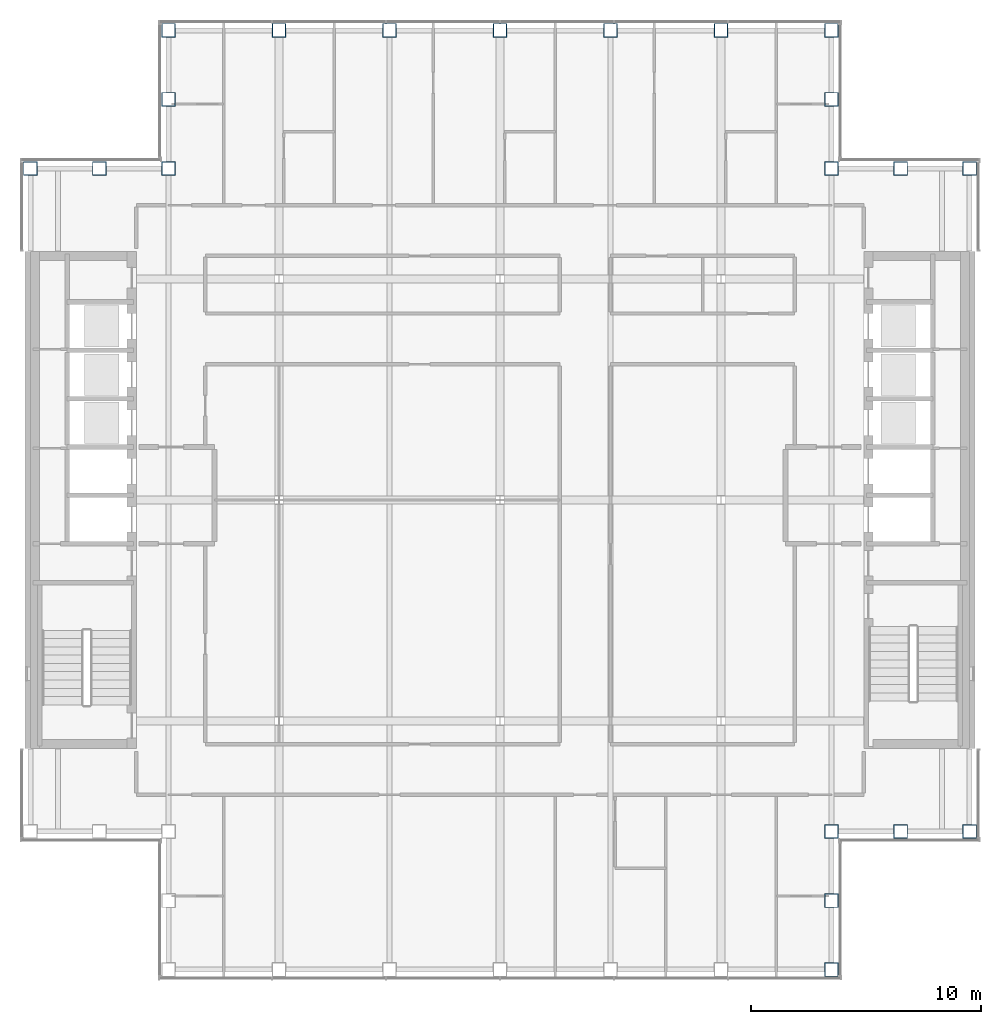
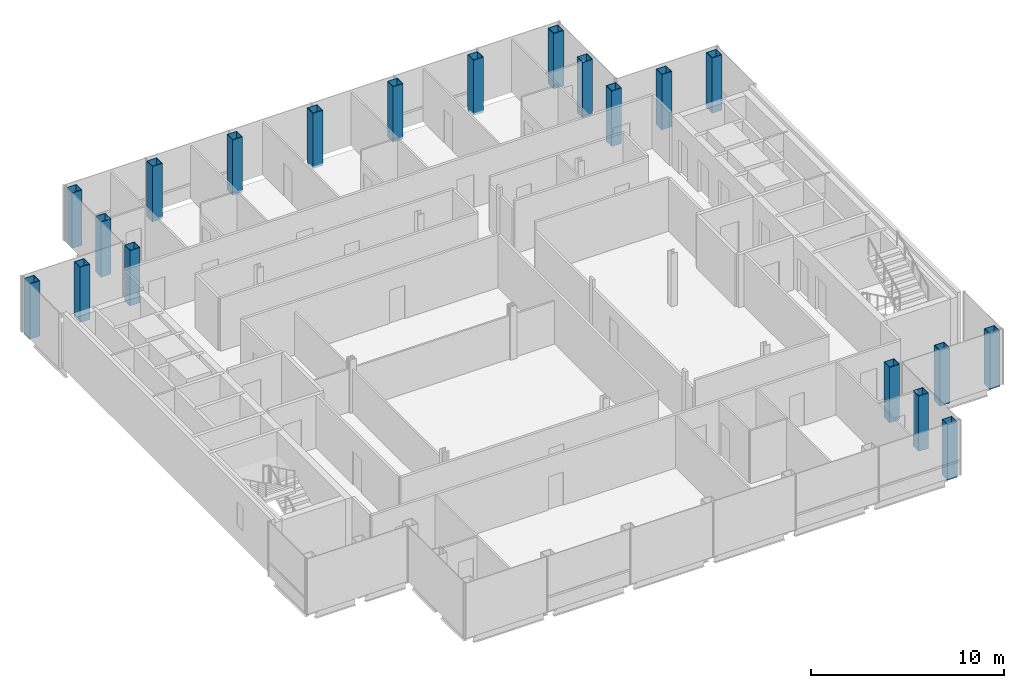
# One storey, part 2 of 15: 20 columns.
"""IFC4 building model written with IfcOpenShell, lengths in metres."""

from ifc_helpers import new_model, si_unit, direction, frame, origin, origin_2d, place, context, subcontext, project, spatial, hollow_rectangle, extrude, material, material_profile, profile_set, type_object, element, save


model = new_model("IFC4")

# Units and contexts
model_context = context("Model", 3, precision=1e-05, world=origin(), true_north=direction((0.0, 1.0)))
body_context = subcontext(model_context, "Body", "Model", "MODEL_VIEW")
ifc_project = project(units=[si_unit("LENGTHUNIT", "METRE"), si_unit("AREAUNIT", "SQUARE_METRE"), si_unit("VOLUMEUNIT", "CUBIC_METRE"), si_unit("PLANEANGLEUNIT", "RADIAN"), si_unit("MASSUNIT", "GRAM", prefix="KILO")], contexts=[model_context])

# Site, building, storey
site_placement = place(None, origin())
site = spatial("IfcSite", under=ifc_project, at=site_placement, CompositionType="ELEMENT")
building_placement = place(site_placement, origin())
building = spatial("IfcBuilding", under=site, at=building_placement, Name="Cobrizo Arcos Hotel Tower", CompositionType="ELEMENT")
storey_placement = place(building_placement, frame((0.0, 0.0, 251.5)))
storey = spatial("IfcBuildingStorey", under=building, at=storey_placement, Name="L66", CompositionType="ELEMENT", Elevation=251.5)

# Columns
ifc_material = material(Name="Steel ASTM A572 Grade 50", Category="steel")
ifc_material_profile = material_profile(ifc_material, hollow_rectangle(XDim=0.60009765625, YDim=0.60009765625, WallThickness=0.030029296875, at=origin_2d()), Name="BOX 600X600X30")
ifc_profile_set = profile_set([ifc_material_profile], Name="Steel ASTM A572 Grade 50")
column_type = type_object("IfcColumnType", Name="BOX 600X600X30 column", PredefinedType="COLUMN", material=ifc_profile_set)
for number, where, z_axis, x_axis, name in (
    (1, (-14.39990234375, 20.39990234375, -0.14990234375), (0.0, 0.0, 1.0), (1.0, 0.0, 0.0), "Perimeter column C12, L66, no. 00"),
    (2, (-9.60009765625, 20.39990234375, -0.14990234375), (0.0, 0.0, 1.0), (1.0, 0.0, 0.0), "Perimeter column C12, L66, no. 02"),
    (3, (-4.800048828125, 20.39990234375, -0.14990234375), (0.0, 0.0, 1.0), (1.0, 0.0, 0.0), "Perimeter column C12, L66, no. 04"),
    (4, (0.0, 20.39990234375, -0.14990234375), (0.0, 0.0, 1.0), (1.0, 0.0, 0.0), "Perimeter column C12, L66, no. 06"),
    (5, (4.800048828125, 20.39990234375, -0.14990234375), (0.0, 0.0, 1.0), (1.0, 0.0, 0.0), "Perimeter column C12, L66, no. 08"),
    (6, (9.60009765625, 20.39990234375, -0.14990234375), (0.0, 0.0, 1.0), (1.0, 0.0, 0.0), "Perimeter column C12, L66, no. 10"),
    (7, (14.39990234375, 20.39990234375, -0.14990234375), (0.0, 0.0, 1.0), (1.0, 0.0, 0.0), "Perimeter column C12, L66, no. 12"),
    (8, (14.39990234375, -20.39990234375, -0.14990234375), (0.0, 0.0, 1.0), (1.0, 0.0, 0.0), "Perimeter column C12, L66, no. 13"),
    (9, (20.39990234375, -14.39990234375, -0.14990234375), (0.0, 0.0, 1.0), (1.0, 0.0, 0.0), "Perimeter column C12, L66, no. 14"),
    (10, (20.39990234375, 14.39990234375, -0.14990234375), (0.0, 0.0, 1.0), (1.0, 0.0, 0.0), "Perimeter column C12, L66, no. 16"),
    (11, (-20.39990234375, 14.39990234375, -0.14990234375), (0.0, 0.0, 1.0), (1.0, 0.0, 0.0), "Perimeter column C12, L66, no. 17"),
    (12, (-14.39990234375, 14.39990234375, -0.14990234375), (0.0, 0.0, 1.0), (1.0, 0.0, 0.0), "Perimeter column C12, L66, no. 21"),
    (13, (-14.39990234375, 17.39990234375, -0.14990234375), (0.0, 0.0, 1.0), (1.0, 0.0, 0.0), "Perimeter column C12, L66, no. 22"),
    (14, (-17.39990234375, 14.39990234375, -0.14990234375), (0.0, 0.0, 1.0), (1.0, 0.0, 0.0), "Perimeter column C12, L66, no. 23"),
    (15, (14.39990234375, -14.39990234375, -0.14990234375), (0.0, 0.0, 1.0), (1.0, 0.0, 0.0), "Perimeter column C12, L66, no. 24"),
    (16, (14.39990234375, -17.39990234375, -0.14990234375), (0.0, 0.0, 1.0), (1.0, 0.0, 0.0), "Perimeter column C12, L66, no. 25"),
    (17, (17.39990234375, -14.39990234375, -0.14990234375), (0.0, 0.0, 1.0), (1.0, 0.0, 0.0), "Perimeter column C12, L66, no. 26"),
    (18, (14.39990234375, 14.39990234375, -0.14990234375), (0.0, 0.0, 1.0), (1.0, 0.0, 0.0), "Perimeter column C12, L66, no. 27"),
    (19, (14.39990234375, 17.39990234375, -0.14990234375), (0.0, 0.0, 1.0), (1.0, 0.0, 0.0), "Perimeter column C12, L66, no. 28"),
    (20, (17.39990234375, 14.39990234375, -0.14990234375), (0.0, 0.0, 1.0), (1.0, 0.0, 0.0), "Perimeter column C12, L66, no. 29"),
):
    element("IfcColumn", number, at=place(storey_placement, frame(where, z_axis=z_axis, x_axis=x_axis)), inside=storey, type_object=column_type, Name=name, PredefinedType="COLUMN", context=body_context, shape_type="SweptSolid", body=[
        extrude(hollow_rectangle(XDim=0.60009765625, YDim=0.60009765625, WallThickness=0.030029296875, at=origin_2d()), origin(), (0.0, 0.0, 1.0), 3.5),
    ])

save(model, "model.ifc")
